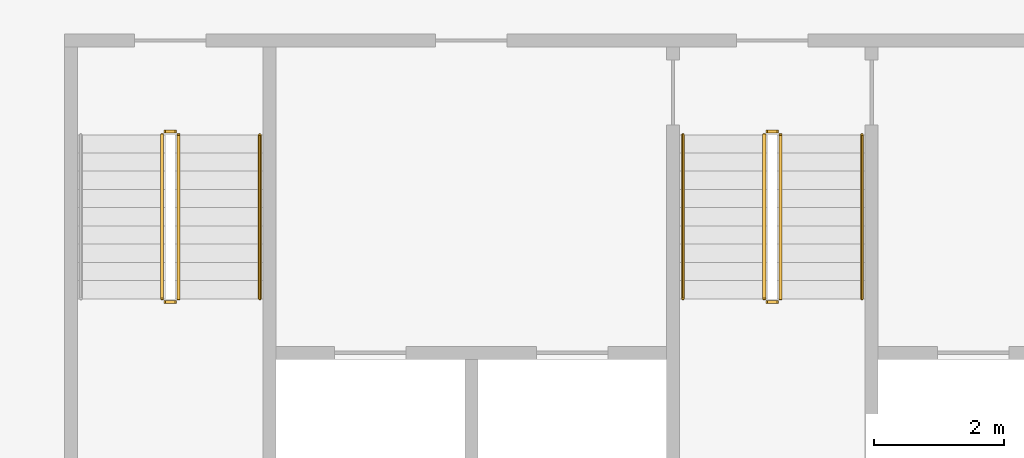
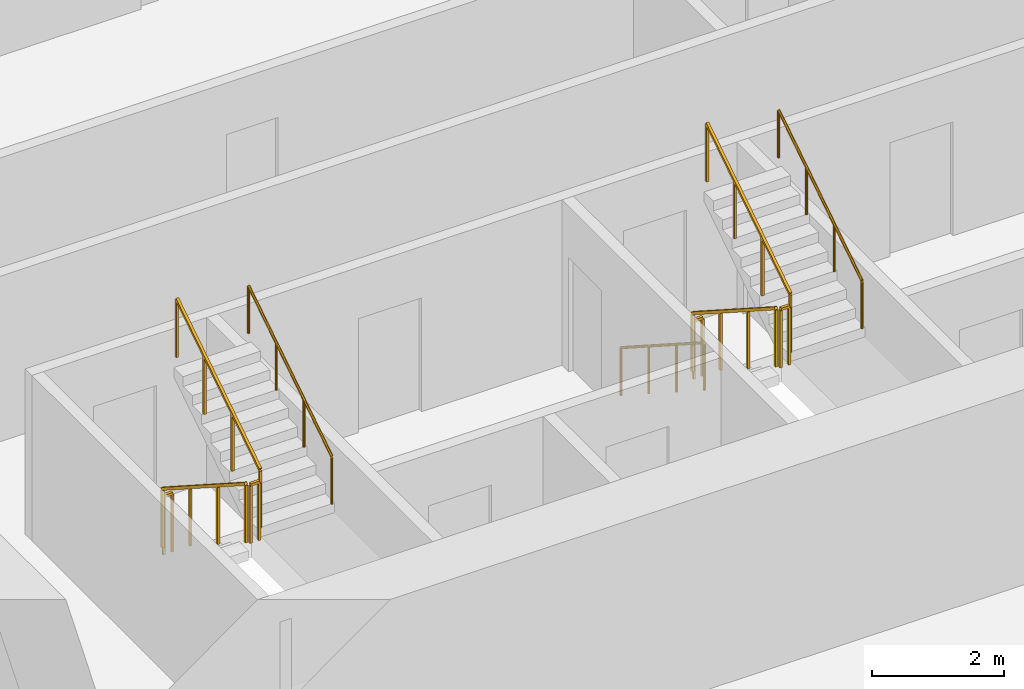
# One storey, part 14 of 16: 11 railings.
"""IFC4 building model written with IfcOpenShell, lengths in metres."""

import ifcopenshell
import ifcopenshell.guid

model = None  # the IFC model being written
_history = None  # IfcOwnerHistory: only IFC2X3 demands one
_inside = {}  # id of a spatial element -> (the spatial element, [elements in it])
_under = {}  # id of a project, library or spatial element -> (it, [spatial elements below it])
_declared = {}  # id of a project -> (the project, [libraries it declares])
_typed = {}  # id of a type object -> (the type object, [elements of that type])
_made_of = {}  # id of a material, layer set ... -> (it, [elements and type objects made of it])


def new_model(schema):
    """Start an empty IFC model of exactly this schema.

    Asked for "IFC4X3", IfcOpenShell would pick the latest addendum, in which some entities
    have other attributes; the version numbers below select the first issue.
    IFC2X3 requires an IfcOwnerHistory on every rooted entity: one is made here for all.
    """
    global model, _history
    if schema == "IFC4X3":
        model = ifcopenshell.file(schema_version=(4, 3, 0, 0))
    else:
        model = ifcopenshell.file(schema=schema)
    _inside.clear()
    _under.clear()
    _declared.clear()
    _typed.clear()
    _made_of.clear()
    _history = None
    if model.schema == "IFC2X3":
        org = make("IfcOrganization", Name="unknown")
        user = make(
            "IfcPersonAndOrganization",
            ThePerson=make("IfcPerson", FamilyName="unknown"),
            TheOrganization=org,
        )
        app = make(
            "IfcApplication",
            ApplicationDeveloper=org,
            Version="unknown",
            ApplicationFullName="unknown",
            ApplicationIdentifier="unknown",
        )
        _history = make(
            "IfcOwnerHistory",
            OwningUser=user,
            OwningApplication=app,
            ChangeAction="ADDED",
            CreationDate=0,
        )
    return model


def make(cls, **values):
    """One entity of the class cls with the attributes given. An attribute that is None is left unset."""
    return model.create_entity(
        cls, **{name: value for name, value in values.items() if value is not None}
    )


def rooted(cls, **values):
    """An entity with a GlobalId (a new one), such as an element, a storey or a relation."""
    return make(cls, GlobalId=ifcopenshell.guid.new(), OwnerHistory=_history, **values)


def si_unit(unit_type, name, prefix=None):
    """IfcSIUnit, for example si_unit("LENGTHUNIT", "METRE", prefix="MILLI")."""
    return make("IfcSIUnit", UnitType=unit_type, Prefix=prefix, Name=name)


def assignment(units):
    """IfcUnitAssignment: the units of a project."""
    return None if units is None else make("IfcUnitAssignment", Units=units)


def point(xyz):
    """IfcCartesianPoint."""
    return None if xyz is None else make("IfcCartesianPoint", Coordinates=xyz)


def direction(xyz):
    """IfcDirection."""
    return None if xyz is None else make("IfcDirection", DirectionRatios=xyz)


def frame(location, z_axis=None, x_axis=None):
    """IfcAxis2Placement3D, a coordinate frame: its origin and axes. An axis left out is left unset."""
    return make(
        "IfcAxis2Placement3D",
        Location=point(location),
        Axis=direction(z_axis),
        RefDirection=direction(x_axis),
    )


def frame_2d(location, x_axis=None):
    """IfcAxis2Placement2D, a coordinate frame in the plane: its origin and x axis."""
    return make(
        "IfcAxis2Placement2D", Location=point(location), RefDirection=direction(x_axis)
    )


def origin():
    """The frame at (0, 0, 0) with its axes left unset."""
    return frame((0.0, 0.0, 0.0))


def origin_2d():
    """The frame at (0, 0) in the plane with its x axis left unset."""
    return frame_2d((0.0, 0.0))


def place(relative_to, where):
    """IfcLocalPlacement: puts the frame where relative to a parent placement (None: the world)."""
    return make(
        "IfcLocalPlacement", PlacementRelTo=relative_to, RelativePlacement=where
    )


def context(
    kind, dimensions, precision=None, world=None, true_north=None, identifier=None
):
    """IfcGeometricRepresentationContext, for example the 3D "Model" context."""
    return make(
        "IfcGeometricRepresentationContext",
        ContextIdentifier=identifier,
        ContextType=kind,
        CoordinateSpaceDimension=dimensions,
        Precision=precision,
        WorldCoordinateSystem=world,
        TrueNorth=true_north,
    )


def subcontext(parent, identifier, kind, view, scale=None):
    """IfcGeometricRepresentationSubContext, for example "Body" below "Model"."""
    return make(
        "IfcGeometricRepresentationSubContext",
        ContextIdentifier=identifier,
        ContextType=kind,
        ParentContext=parent,
        TargetScale=scale,
        TargetView=view,
    )


def project(units=None, contexts=None):
    """IfcProject with its units and contexts."""
    return rooted(
        "IfcProject",
        Name="project",
        RepresentationContexts=contexts,
        UnitsInContext=assignment(units),
    )


def spatial(cls, under=None, at=None, **own):
    """A site, building, storey or space (cls), placed at a placement, below another one or the project."""
    s = rooted(cls, ObjectPlacement=at, **own)
    if under is not None:
        _under.setdefault(under.id(), (under, []))[1].append(s)
    return s


def profile(cls, at=None, kind="AREA", **sizes):
    """A parametric profile (cls). Its sizes go by their IFC names, for example OverallWidth=200.0."""
    return make(cls, ProfileType=kind, Position=at, **sizes)


def rectangle(**sizes):
    """IfcRectangleProfileDef."""
    return profile("IfcRectangleProfileDef", **sizes)


def circle(**sizes):
    """IfcCircleProfileDef."""
    return profile("IfcCircleProfileDef", **sizes)


def extrude(swept, where, along, depth):
    """IfcExtrudedAreaSolid: the profile swept, set in the frame where, extruded along a direction by depth."""
    return make(
        "IfcExtrudedAreaSolid",
        SweptArea=swept,
        Position=where,
        ExtrudedDirection=direction(along),
        Depth=depth,
    )


def shape(context_of_items, identifier, shape_type, items):
    """IfcShapeRepresentation: the items that make up one representation, for example the "Body"."""
    return make(
        "IfcShapeRepresentation",
        ContextOfItems=context_of_items,
        RepresentationIdentifier=identifier,
        RepresentationType=shape_type,
        Items=items,
    )


def material(Name=None, Category=None):
    """IfcMaterial."""
    return make("IfcMaterial", Name=Name, Category=Category)


def made_of(thing, what):
    """Note that an element or type object is made of a material, layer set ...; save() writes the relation."""
    if what is not None:
        _made_of.setdefault(what.id(), (what, []))[1].append(thing)
    return thing


def type_object(cls, material=None, **own):
    """A type object (cls), such as IfcWallType, which elements share."""
    return made_of(rooted(cls, **own), material)


def element(
    cls,
    number,
    at=None,
    inside=None,
    cuts=None,
    type_object=None,
    material=None,
    context=None,
    identifier="Body",
    shape_type=None,
    held_by="IfcProductDefinitionShape",
    body=None,
    shapes=None,
    **own,
):
    """One element of the class cls, such as IfcWall. Its Tag is "e" and its number.

    at: its placement. inside: the storey or other place that contains it. cuts: it is an
    opening in that element (IfcRelVoidsElement). A single representation is given by context,
    identifier, shape_type and body (its items); several are given by shapes. held_by: the class
    of the entity that holds the representations. save() writes the other relations.
    """
    e = rooted(cls, Tag="e%d" % number, ObjectPlacement=at, **own)
    if body is not None:
        shapes = [shape(context, identifier, shape_type, body)]
    if shapes is not None:
        e.Representation = make(held_by, Representations=shapes)
    if inside is not None:
        _inside.setdefault(inside.id(), (inside, []))[1].append(e)
    if cuts is not None:
        rooted(
            "IfcRelVoidsElement", RelatingBuildingElement=cuts, RelatedOpeningElement=e
        )
    if type_object is not None:
        _typed.setdefault(type_object.id(), (type_object, []))[1].append(e)
    return made_of(e, material)


def aggregate(whole, parts):
    """IfcRelAggregates: a whole, such as a stair, and the parts it consists of."""
    return rooted("IfcRelAggregates", RelatingObject=whole, RelatedObjects=parts)


def save(model, path):
    """Write the relations noted so far, then the file.

    IfcRelAggregates (storeys below a building ...), IfcRelContainedInSpatialStructure (elements
    in a storey), IfcRelDefinesByType, IfcRelAssociatesMaterial and IfcRelDeclares: one each for
    every whole, place, type object, material and project.
    """
    for whole, parts in _under.values():
        aggregate(whole, parts)
    for where, things in _inside.values():
        rooted(
            "IfcRelContainedInSpatialStructure",
            RelatedElements=things,
            RelatingStructure=where,
        )
    for kind, things in _typed.values():
        rooted("IfcRelDefinesByType", RelatedObjects=things, RelatingType=kind)
    for what, things in _made_of.values():
        rooted("IfcRelAssociatesMaterial", RelatedObjects=things, RelatingMaterial=what)
    for by, libraries in _declared.values():
        rooted("IfcRelDeclares", RelatingContext=by, RelatedDefinitions=libraries)
    model.write(path)


model = new_model("IFC4")

# Units and contexts
model_context = context("Model", 3, precision=1e-05, world=origin(), true_north=direction((0.0, 1.0)))
body_context = subcontext(model_context, "Body", "Model", "MODEL_VIEW")
ifc_project = project(units=[si_unit("LENGTHUNIT", "METRE"), si_unit("AREAUNIT", "SQUARE_METRE"), si_unit("VOLUMEUNIT", "CUBIC_METRE"), si_unit("PLANEANGLEUNIT", "RADIAN"), si_unit("MASSUNIT", "GRAM", prefix="KILO")], contexts=[model_context])

# Site, building, storey
site_placement = place(None, origin())
site = spatial("IfcSite", under=ifc_project, at=site_placement, CompositionType="ELEMENT")
building_placement = place(site_placement, origin())
building = spatial("IfcBuilding", under=site, at=building_placement, Name="Mangrove Gate Tower", CompositionType="ELEMENT")
storey_placement = place(building_placement, frame((0.0, 0.0, 133.699951171875)))
storey = spatial("IfcBuildingStorey", under=building, at=storey_placement, Name="L33", CompositionType="ELEMENT", Elevation=133.699951171875)

# Railings
ifc_material_1 = material(Name="Stainless steel 316", Category="steel")
railing_type_1 = type_object("IfcRailingType", Name="Core stair guard 1100", PredefinedType="GUARDRAIL", material=ifc_material_1)
railing_1_placement = place(storey_placement, frame((-9.39990234375, -4.64990234375, 0.179931640625)))
element("IfcRailing", 1, at=railing_1_placement, inside=storey, type_object=railing_type_1, Name="L33 ST1 stair guard 1", PredefinedType="GUARDRAIL", context=body_context, shape_type="SweptSolid", body=[
    extrude(rectangle(XDim=0.048095703125, YDim=0.048095703125, at=origin_2d()), frame((0.0, 0.0, 1.076171875), z_axis=(0.0, -0.841162588446, 0.540782303519), x_axis=(1.0, 0.0, 0.0)), (0.0, 0.0, 1.0), 2.995849609375),
    extrude(rectangle(XDim=0.0419921875, YDim=0.0419921875, at=origin_2d()), origin(), (0.0, 0.0, 1.0), 1.052001953125),
    extrude(rectangle(XDim=0.0419921875, YDim=0.0419921875, at=origin_2d()), frame((0.0, -0.840087890625, 0.5400390625)), (0.0, 0.0, 1.0), 1.052001953125),
    extrude(rectangle(XDim=0.0419921875, YDim=0.0419921875, at=origin_2d()), frame((0.0, -1.679931640625, 1.080078125)), (0.0, 0.0, 1.0), 1.052001953125),
    extrude(rectangle(XDim=0.0419921875, YDim=0.0419921875, at=origin_2d()), frame((0.0, -2.52001953125, 1.6201171875)), (0.0, 0.0, 1.0), 1.052001953125),
])
railing_2_placement = place(storey_placement, frame((-9.35009765625, -7.219970703125, 1.800048828125)))
element("IfcRailing", 2, at=railing_2_placement, inside=storey, type_object=railing_type_1, Name="L33 ST1 stair guard 2", PredefinedType="GUARDRAIL", context=body_context, shape_type="SweptSolid", body=[
    extrude(rectangle(XDim=0.048095703125, YDim=0.048095703125, at=origin_2d()), frame((0.0, 0.0, 1.076171875), z_axis=(1.0, 0.0, 0.0), x_axis=(0.0, 1.0, 0.0)), (0.0, 0.0, 1.0), 0.150146484375),
    extrude(rectangle(XDim=0.0419921875, YDim=0.0419921875, at=origin_2d()), origin(), (0.0, 0.0, 1.0), 1.052001953125),
    extrude(rectangle(XDim=0.0419921875, YDim=0.0419921875, at=origin_2d()), frame((0.150146484375, 0.0, 0.0)), (0.0, 0.0, 1.0), 1.052001953125),
])
railing_3_placement = place(storey_placement, frame((-9.14990234375, -7.169921875, 1.97998046875)))
element("IfcRailing", 3, at=railing_3_placement, inside=storey, type_object=railing_type_1, Name="L33 ST1 stair guard 3", PredefinedType="GUARDRAIL", context=body_context, shape_type="SweptSolid", body=[
    extrude(rectangle(XDim=0.048095703125, YDim=0.048095703125, at=origin_2d()), frame((0.0, 0.0, 1.076171875), z_axis=(0.0, 0.841162588446, 0.540782303519), x_axis=(-1.0, 0.0, 0.0)), (0.0, 0.0, 1.0), 2.995849609375),
    extrude(rectangle(XDim=0.0419921875, YDim=0.0419921875, at=origin_2d()), origin(), (0.0, 0.0, 1.0), 1.052001953125),
    extrude(rectangle(XDim=0.0419921875, YDim=0.0419921875, at=origin_2d()), frame((0.0, 0.840087890625, 0.5400390625)), (0.0, 0.0, 1.0), 1.052001953125),
    extrude(rectangle(XDim=0.0419921875, YDim=0.0419921875, at=origin_2d()), frame((0.0, 1.679931640625, 1.080078125)), (0.0, 0.0, 1.0), 1.052001953125),
    extrude(rectangle(XDim=0.0419921875, YDim=0.0419921875, at=origin_2d()), frame((0.0, 2.52001953125, 1.6201171875)), (0.0, 0.0, 1.0), 1.052001953125),
])
railing_4_placement = place(storey_placement, frame((-9.35009765625, -4.60009765625, 0.0)))
element("IfcRailing", 4, at=railing_4_placement, inside=storey, type_object=railing_type_1, Name="L33 ST1 stair guard 4", PredefinedType="GUARDRAIL", context=body_context, shape_type="SweptSolid", body=[
    extrude(rectangle(XDim=0.048095703125, YDim=0.048095703125, at=origin_2d()), frame((0.0, 0.0, 1.076171875), z_axis=(1.0, 0.0, 0.0), x_axis=(0.0, 1.0, 0.0)), (0.0, 0.0, 1.0), 0.150146484375),
    extrude(rectangle(XDim=0.0419921875, YDim=0.0419921875, at=origin_2d()), origin(), (0.0, 0.0, 1.0), 1.052001953125),
    extrude(rectangle(XDim=0.0419921875, YDim=0.0419921875, at=origin_2d()), frame((0.150146484375, 0.0, 0.0)), (0.0, 0.0, 1.0), 1.052001953125),
])
railing_5_placement = place(storey_placement, frame((-0.14990234375, -4.64990234375, 0.179931640625)))
element("IfcRailing", 5, at=railing_5_placement, inside=storey, type_object=railing_type_1, Name="L33 ST2 stair guard 1", PredefinedType="GUARDRAIL", context=body_context, shape_type="SweptSolid", body=[
    extrude(rectangle(XDim=0.048095703125, YDim=0.048095703125, at=origin_2d()), frame((0.0, 0.0, 1.076171875), z_axis=(0.0, -0.841162588446, 0.540782303519), x_axis=(1.0, 0.0, 0.0)), (0.0, 0.0, 1.0), 2.995849609375),
    extrude(rectangle(XDim=0.0419921875, YDim=0.0419921875, at=origin_2d()), origin(), (0.0, 0.0, 1.0), 1.052001953125),
    extrude(rectangle(XDim=0.0419921875, YDim=0.0419921875, at=origin_2d()), frame((0.0, -0.840087890625, 0.5400390625)), (0.0, 0.0, 1.0), 1.052001953125),
    extrude(rectangle(XDim=0.0419921875, YDim=0.0419921875, at=origin_2d()), frame((0.0, -1.679931640625, 1.080078125)), (0.0, 0.0, 1.0), 1.052001953125),
    extrude(rectangle(XDim=0.0419921875, YDim=0.0419921875, at=origin_2d()), frame((0.0, -2.52001953125, 1.6201171875)), (0.0, 0.0, 1.0), 1.052001953125),
])
railing_6_placement = place(storey_placement, frame((-0.10009765625, -7.219970703125, 1.800048828125)))
element("IfcRailing", 6, at=railing_6_placement, inside=storey, type_object=railing_type_1, Name="L33 ST2 stair guard 2", PredefinedType="GUARDRAIL", context=body_context, shape_type="SweptSolid", body=[
    extrude(rectangle(XDim=0.048095703125, YDim=0.048095703125, at=origin_2d()), frame((0.0, 0.0, 1.076171875), z_axis=(1.0, 0.0, 0.0), x_axis=(0.0, 1.0, 0.0)), (0.0, 0.0, 1.0), 0.150146484375),
    extrude(rectangle(XDim=0.0419921875, YDim=0.0419921875, at=origin_2d()), origin(), (0.0, 0.0, 1.0), 1.052001953125),
    extrude(rectangle(XDim=0.0419921875, YDim=0.0419921875, at=origin_2d()), frame((0.150146484375, 0.0, 0.0)), (0.0, 0.0, 1.0), 1.052001953125),
])
railing_7_placement = place(storey_placement, frame((0.10009765625, -7.169921875, 1.97998046875)))
element("IfcRailing", 7, at=railing_7_placement, inside=storey, type_object=railing_type_1, Name="L33 ST2 stair guard 3", PredefinedType="GUARDRAIL", context=body_context, shape_type="SweptSolid", body=[
    extrude(rectangle(XDim=0.048095703125, YDim=0.048095703125, at=origin_2d()), frame((0.0, 0.0, 1.076171875), z_axis=(0.0, 0.841162588446, 0.540782303519), x_axis=(-1.0, 0.0, 0.0)), (0.0, 0.0, 1.0), 2.995849609375),
    extrude(rectangle(XDim=0.0419921875, YDim=0.0419921875, at=origin_2d()), origin(), (0.0, 0.0, 1.0), 1.052001953125),
    extrude(rectangle(XDim=0.0419921875, YDim=0.0419921875, at=origin_2d()), frame((0.0, 0.840087890625, 0.5400390625)), (0.0, 0.0, 1.0), 1.052001953125),
    extrude(rectangle(XDim=0.0419921875, YDim=0.0419921875, at=origin_2d()), frame((0.0, 1.679931640625, 1.080078125)), (0.0, 0.0, 1.0), 1.052001953125),
    extrude(rectangle(XDim=0.0419921875, YDim=0.0419921875, at=origin_2d()), frame((0.0, 2.52001953125, 1.6201171875)), (0.0, 0.0, 1.0), 1.052001953125),
])
railing_8_placement = place(storey_placement, frame((-0.10009765625, -4.60009765625, 0.0)))
element("IfcRailing", 8, at=railing_8_placement, inside=storey, type_object=railing_type_1, Name="L33 ST2 stair guard 4", PredefinedType="GUARDRAIL", context=body_context, shape_type="SweptSolid", body=[
    extrude(rectangle(XDim=0.048095703125, YDim=0.048095703125, at=origin_2d()), frame((0.0, 0.0, 1.076171875), z_axis=(1.0, 0.0, 0.0), x_axis=(0.0, 1.0, 0.0)), (0.0, 0.0, 1.0), 0.150146484375),
    extrude(rectangle(XDim=0.0419921875, YDim=0.0419921875, at=origin_2d()), origin(), (0.0, 0.0, 1.0), 1.052001953125),
    extrude(rectangle(XDim=0.0419921875, YDim=0.0419921875, at=origin_2d()), frame((0.150146484375, 0.0, 0.0)), (0.0, 0.0, 1.0), 1.052001953125),
])
ifc_material_2 = material(Name="Stainless steel 316", Category="steel")
railing_type_2 = type_object("IfcRailingType", Name="Core stair handrail 900", PredefinedType="HANDRAIL", material=ifc_material_2)
railing_9_placement = place(storey_placement, frame((-7.89990234375, -7.169921875, 1.97998046875)))
element("IfcRailing", 9, at=railing_9_placement, inside=storey, type_object=railing_type_2, Name="L33 ST1 stair handrail 2", PredefinedType="HANDRAIL", context=body_context, shape_type="SweptSolid", body=[
    extrude(circle(Radius=0.02392578125, at=origin_2d()), frame((0.0, 0.0, 0.8759765625), z_axis=(0.0, 0.841162588446, 0.540782303519), x_axis=(-1.0, 0.0, 0.0)), (0.0, 0.0, 1.0), 2.995849609375),
    extrude(circle(Radius=0.02099609375, at=origin_2d()), origin(), (0.0, 0.0, 1.0), 0.851806640625),
    extrude(circle(Radius=0.02099609375, at=origin_2d()), frame((0.0, 0.840087890625, 0.5400390625)), (0.0, 0.0, 1.0), 0.851806640625),
    extrude(circle(Radius=0.02099609375, at=origin_2d()), frame((0.0, 1.679931640625, 1.080078125)), (0.0, 0.0, 1.0), 0.851806640625),
    extrude(circle(Radius=0.02099609375, at=origin_2d()), frame((0.0, 2.52001953125, 1.6201171875)), (0.0, 0.0, 1.0), 0.851806640625),
])
railing_10_placement = place(storey_placement, frame((-1.39990234375, -4.64990234375, 0.179931640625)))
element("IfcRailing", 10, at=railing_10_placement, inside=storey, type_object=railing_type_2, Name="L33 ST2 stair handrail 1", PredefinedType="HANDRAIL", context=body_context, shape_type="SweptSolid", body=[
    extrude(circle(Radius=0.02392578125, at=origin_2d()), frame((0.0, 0.0, 0.8759765625), z_axis=(0.0, -0.841162588446, 0.540782303519), x_axis=(1.0, 0.0, 0.0)), (0.0, 0.0, 1.0), 2.995849609375),
    extrude(circle(Radius=0.02099609375, at=origin_2d()), origin(), (0.0, 0.0, 1.0), 0.851806640625),
    extrude(circle(Radius=0.02099609375, at=origin_2d()), frame((0.0, -0.840087890625, 0.5400390625)), (0.0, 0.0, 1.0), 0.851806640625),
    extrude(circle(Radius=0.02099609375, at=origin_2d()), frame((0.0, -1.679931640625, 1.080078125)), (0.0, 0.0, 1.0), 0.851806640625),
    extrude(circle(Radius=0.02099609375, at=origin_2d()), frame((0.0, -2.52001953125, 1.6201171875)), (0.0, 0.0, 1.0), 0.851806640625),
])
railing_11_placement = place(storey_placement, frame((1.35009765625, -7.169921875, 1.97998046875)))
element("IfcRailing", 11, at=railing_11_placement, inside=storey, type_object=railing_type_2, Name="L33 ST2 stair handrail 2", PredefinedType="HANDRAIL", context=body_context, shape_type="SweptSolid", body=[
    extrude(circle(Radius=0.02392578125, at=origin_2d()), frame((0.0, 0.0, 0.8759765625), z_axis=(0.0, 0.841162588446, 0.540782303519), x_axis=(-1.0, 0.0, 0.0)), (0.0, 0.0, 1.0), 2.995849609375),
    extrude(circle(Radius=0.02099609375, at=origin_2d()), origin(), (0.0, 0.0, 1.0), 0.851806640625),
    extrude(circle(Radius=0.02099609375, at=origin_2d()), frame((0.0, 0.840087890625, 0.5400390625)), (0.0, 0.0, 1.0), 0.851806640625),
    extrude(circle(Radius=0.02099609375, at=origin_2d()), frame((0.0, 1.679931640625, 1.080078125)), (0.0, 0.0, 1.0), 0.851806640625),
    extrude(circle(Radius=0.02099609375, at=origin_2d()), frame((0.0, 2.52001953125, 1.6201171875)), (0.0, 0.0, 1.0), 0.851806640625),
])

save(model, "model.ifc")
